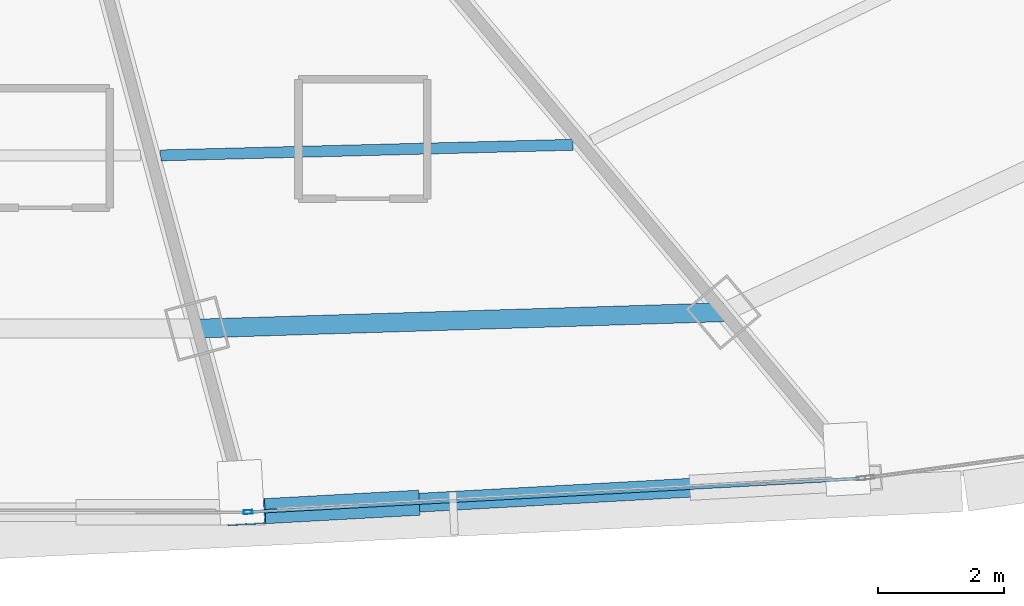
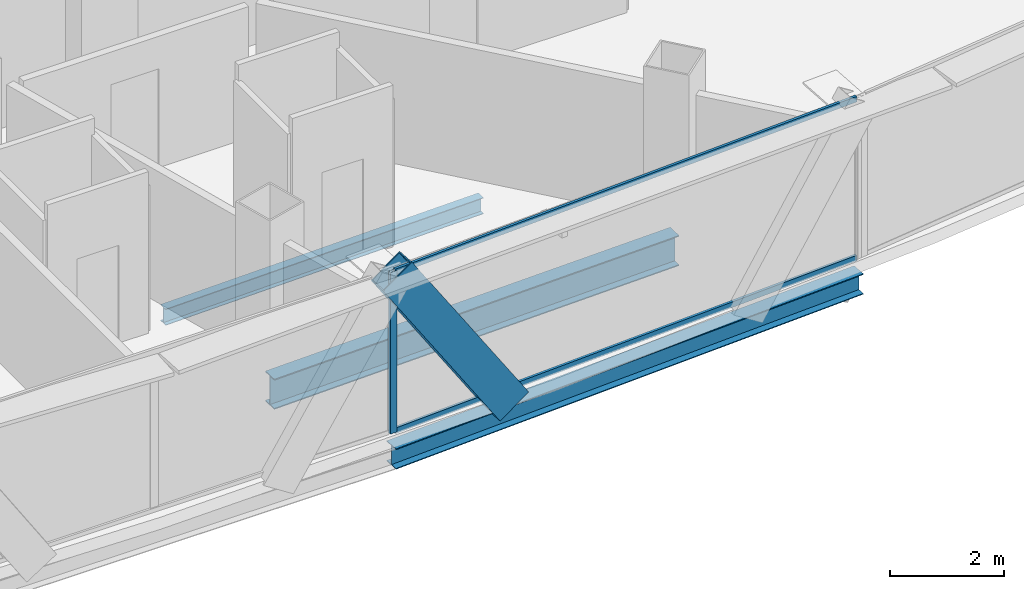
# One storey, part 10 of 35: 4 members, 3 beams, 1 element without a shape of its own.
"""IFC4 building model written with IfcOpenShell, lengths in metres."""

from ifc_helpers import new_model, si_unit, direction, frame, origin, origin_2d, place, context, subcontext, project, spatial, hollow_rectangle, i_section, extrude, source, transform, mapped, material, layer, layer_set, material_profile, profile_set, type_object, element, aggregate, save


model = new_model("IFC4")

# Units and contexts
model_context = context("Model", 3, precision=1e-05, world=origin(), true_north=direction((0.0, 1.0)))
body_context = subcontext(model_context, "Body", "Model", "MODEL_VIEW")
ifc_project = project(units=[si_unit("LENGTHUNIT", "METRE"), si_unit("AREAUNIT", "SQUARE_METRE"), si_unit("VOLUMEUNIT", "CUBIC_METRE"), si_unit("PLANEANGLEUNIT", "RADIAN"), si_unit("MASSUNIT", "GRAM", prefix="KILO"), si_unit("THERMODYNAMICTEMPERATUREUNIT", "KELVIN"), si_unit("POWERUNIT", "WATT")], contexts=[model_context])

# Site, building, storey
site_placement = place(None, origin())
site = spatial("IfcSite", under=ifc_project, at=site_placement, CompositionType="ELEMENT")
building_placement = place(site_placement, origin())
building = spatial("IfcBuilding", under=site, at=building_placement, Name="Yunzhuo Pagoda Commons", CompositionType="ELEMENT")
storey_placement = place(building_placement, frame((0.0, 0.0, 237.070068359375)))
storey = spatial("IfcBuildingStorey", under=building, at=storey_placement, Name="L59", CompositionType="ELEMENT", Elevation=237.070068359375)

# Beams
ifc_material_1 = material(Name="Structural steel Q355B", Category="steel")
ifc_material_profile_1 = material_profile(ifc_material_1, i_section(OverallWidth=0.300048828125, OverallDepth=0.43994140625, WebThickness=0.010986328125, FlangeThickness=0.01806640625, at=origin_2d()), Name="Structural steel Q355B")
ifc_profile_set_1 = profile_set([ifc_material_profile_1], Name="Structural steel Q355B")
beam_type_1 = type_object("IfcBeamType", Name="B-SP2 Beam HM 440x300x11x18", PredefinedType="BEAM", material=ifc_profile_set_1)
shared_shape_1 = source(origin(), body_context, "Body", "SweptSolid", [
    extrude(i_section(OverallWidth=0.300048828125, OverallDepth=0.43994140625, WebThickness=0.010986328125, FlangeThickness=0.01806640625, at=origin_2d()), origin(), (0.0, 0.0, 1.0), 9.823486328125),
])
beam_1_placement = place(storey_placement, frame((52.814208984375, 15.7333984375, -0.47998046875), z_axis=(0.998486395032, 0.054999263048, 0.0), x_axis=(-0.054999263048, 0.998486395032, 0.0)))
element("IfcBeam", 1, at=beam_1_placement, inside=storey, type_object=beam_type_1, Name="L59 facade edge spandrel beam F1.3", PredefinedType="BEAM", context=body_context, shape_type="MappedRepresentation", body=[
    mapped(shared_shape_1, transform((0.0, 0.0, 0.0), scale=1.0)),
])
ifc_material_profile_2 = material_profile(ifc_material_1, i_section(OverallWidth=0.300048828125, OverallDepth=0.64990234375, WebThickness=0.012939453125, FlangeThickness=0.02197265625, at=origin_2d()), Name="Structural steel Q355B")
ifc_profile_set_2 = profile_set([ifc_material_profile_2], Name="Structural steel Q355B")
beam_type_2 = type_object("IfcBeamType", Name="B-RG2 Beam HN 650x300x13x22", PredefinedType="BEAM", material=ifc_profile_set_2)
shared_shape_2 = source(origin(), body_context, "Body", "SweptSolid", [
    extrude(i_section(OverallWidth=0.300048828125, OverallDepth=0.64990234375, WebThickness=0.012939453125, FlangeThickness=0.02197265625, at=origin_2d()), origin(), (0.0, 0.0, 1.0), 8.37939453125),
])
beam_2_placement = place(storey_placement, frame((52.031494140625, 18.654052734375, -0.5849609375), z_axis=(0.999519382133, 0.031000076447, 0.0), x_axis=(-0.031000076447, 0.999519382133, 0.0)))
element("IfcBeam", 2, at=beam_2_placement, inside=storey, type_object=beam_type_2, Name="L59 column-ring beam 3", PredefinedType="BEAM", context=body_context, shape_type="MappedRepresentation", body=[
    mapped(shared_shape_2, transform((0.0, 0.0, 0.0), scale=1.0)),
])
ifc_material_profile_3 = material_profile(ifc_material_1, i_section(OverallWidth=0.175048828125, OverallDepth=0.35009765625, WebThickness=0.007080078125, FlangeThickness=0.010986328125, at=origin_2d()), Name="Structural steel Q355B")
ifc_profile_set_3 = profile_set([ifc_material_profile_3], Name="Structural steel Q355B")
beam_type_3 = type_object("IfcBeamType", Name="B-JS2 Joist HN 350x175x7x11", PredefinedType="JOIST", material=ifc_profile_set_3)
shared_shape_3 = source(origin(), body_context, "Body", "SweptSolid", [
    extrude(i_section(OverallWidth=0.175048828125, OverallDepth=0.35009765625, WebThickness=0.007080078125, FlangeThickness=0.010986328125, at=origin_2d()), origin(), (0.0, 0.0, 1.0), 6.558349609375),
])
beam_3_placement = place(storey_placement, frame((51.45361328125, 21.40869140625, -0.43505859375), z_axis=(0.99966910323, 0.025723220017, 0.0), x_axis=(-0.025723220017, 0.99966910323, 0.0)))
element("IfcBeam", 3, at=beam_3_placement, inside=storey, type_object=beam_type_3, Name="L59 composite ring joist 2.3", PredefinedType="JOIST", context=body_context, shape_type="MappedRepresentation", body=[
    mapped(shared_shape_3, transform((0.0, 0.0, 0.0), scale=1.0)),
])

# Member
ifc_material_profile_4 = material_profile(ifc_material_1, hollow_rectangle(XDim=0.39990234375, YDim=0.719970703125, WallThickness=0.02392578125, at=origin_2d()), Name="Structural steel Q355B")
ifc_profile_set_4 = profile_set([ifc_material_profile_4], Name="Structural steel Q355B")
member_type_1 = type_object("IfcMemberType", Name="M-DL2 Brace BOX 720x400x24", PredefinedType="BRACE", material=ifc_profile_set_4)
shared_shape_4 = source(origin(), body_context, "Body", "SweptSolid", [
    extrude(hollow_rectangle(XDim=0.39990234375, YDim=0.719970703125, WallThickness=0.02392578125, at=origin_2d()), origin(), (0.0, 0.0, 1.0), 4.4658203125),
])
member_1_placement = place(storey_placement, frame((55.266357421875, 15.868408203125, -0.260009765625), z_axis=(-0.549086128168, -0.030231444532, 0.835218823791), x_axis=(0.054974485367, -0.998487759544, 0.0)))
element("IfcMember", 4, at=member_1_placement, inside=storey, type_object=member_type_1, Name="L59 facade diamond brace F1.3L", PredefinedType="BRACE", context=body_context, shape_type="MappedRepresentation", body=[
    mapped(shared_shape_4, transform((0.0, 0.0, 0.0), scale=1.0)),
])

# Curtain wall, members
ifc_material_2 = material(Name="Anodized aluminium 6063-T6", Category="aluminium")
ifc_layer = layer(ifc_material_2, 0.139892578125)
ifc_layer_set = layer_set([ifc_layer], Name="Anodized aluminium 6063-T6")
curtain_wall_type = type_object("IfcCurtainWallType", Name="CW-HI High-Zone Ribbon Curtain Wall", PredefinedType="NOTDEFINED", material=ifc_layer_set)
curtain_wall_placement = place(storey_placement, origin())
curtain_wall = element("IfcCurtainWall", 5, at=curtain_wall_placement, inside=storey, type_object=curtain_wall_type, Name="L59 curtain wall CW-L59-F1B4", PredefinedType="NOTDEFINED")
ifc_material_profile_5 = material_profile(ifc_material_2, hollow_rectangle(XDim=0.06005859375, YDim=0.139892578125, WallThickness=0.00341796875, at=origin_2d()), Name="Anodized aluminium 6063-T6")
ifc_profile_set_5 = profile_set([ifc_material_profile_5], Name="Anodized aluminium 6063-T6")
member_type_2 = type_object("IfcMemberType", Name="CW-HI-M Mullion RHS 140x60x3.5", PredefinedType="MULLION", material=ifc_profile_set_5)
shared_shape_5 = source(origin(), body_context, "Body", "SweptSolid", [
    extrude(hollow_rectangle(XDim=0.06005859375, YDim=0.139892578125, WallThickness=0.00341796875, at=origin_2d()), origin(), (0.0, 0.0, 1.0), 3.469970703125),
])
member_2_placement = place(storey_placement, frame((52.84423828125, 15.73486328125, 0.0), z_axis=(0.0, 0.0, 1.0), x_axis=(-0.054981193813, 0.998487390169, 0.0)))
member_2 = element("IfcMember", 6, at=member_2_placement, type_object=member_type_2, Name="CW mullion 1", PredefinedType="MULLION", context=body_context, shape_type="MappedRepresentation", body=[
    mapped(shared_shape_5, transform((0.0, 0.0, 0.0), scale=1.0)),
])
ifc_material_profile_6 = material_profile(ifc_material_2, hollow_rectangle(XDim=0.054931640625, YDim=0.1201171875, WallThickness=0.00341796875, at=origin_2d()), Name="Anodized aluminium 6063-T6")
ifc_profile_set_6 = profile_set([ifc_material_profile_6], Name="Anodized aluminium 6063-T6")
member_type_3 = type_object("IfcMemberType", Name="CW-HI-T Transom RHS 120x55x3.5", PredefinedType="USERDEFINED", material=ifc_profile_set_6)
shared_shape_6 = source(origin(), body_context, "Body", "SweptSolid", [
    extrude(hollow_rectangle(XDim=0.054931640625, YDim=0.1201171875, WallThickness=0.00341796875, at=origin_2d()), origin(), (0.0, 0.0, 1.0), 9.703369140625),
])
member_3_placement = place(storey_placement, frame((52.8740234375, 15.736572265625, 0.02734375), z_axis=(0.998486332061, 0.055000406246, 0.0), x_axis=(-0.055000406246, 0.998486332061, 0.0)))
member_3 = element("IfcMember", 7, at=member_3_placement, type_object=member_type_3, Name="CW transom 1.1", ObjectType="TRANSOM", PredefinedType="USERDEFINED", context=body_context, shape_type="MappedRepresentation", body=[
    mapped(shared_shape_6, transform((0.0, 0.0, 0.0), scale=1.0)),
])
member_4_placement = place(storey_placement, frame((52.8740234375, 15.736572265625, 3.4423828125), z_axis=(0.998486332061, 0.055000406246, 0.0), x_axis=(-0.055000406246, 0.998486332061, 0.0)))
member_4 = element("IfcMember", 8, at=member_4_placement, type_object=member_type_3, Name="CW transom 1.2", ObjectType="TRANSOM", PredefinedType="USERDEFINED", context=body_context, shape_type="MappedRepresentation", body=[
    mapped(shared_shape_6, transform((0.0, 0.0, 0.0), scale=1.0)),
])
aggregate(curtain_wall, [member_2, member_3, member_4])

save(model, "model.ifc")
